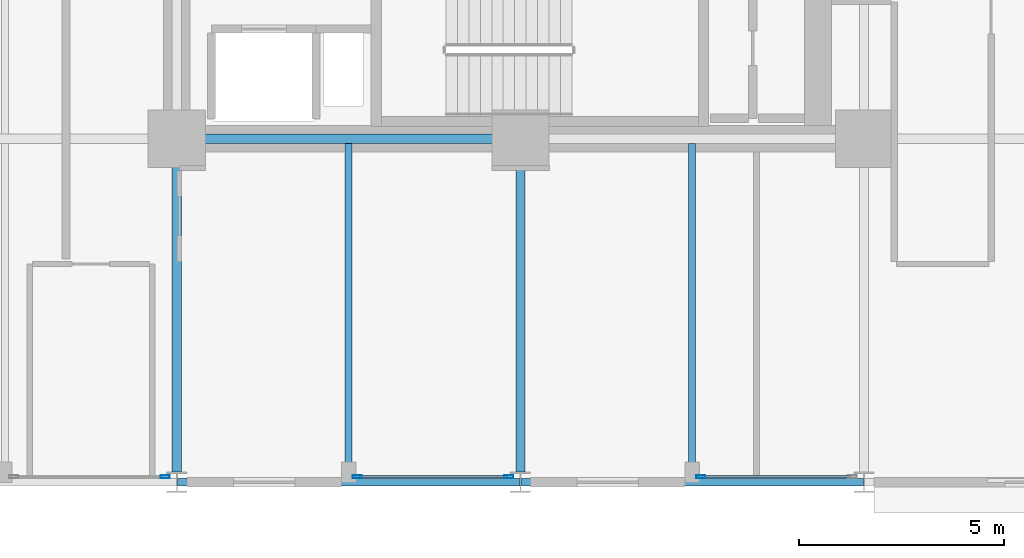
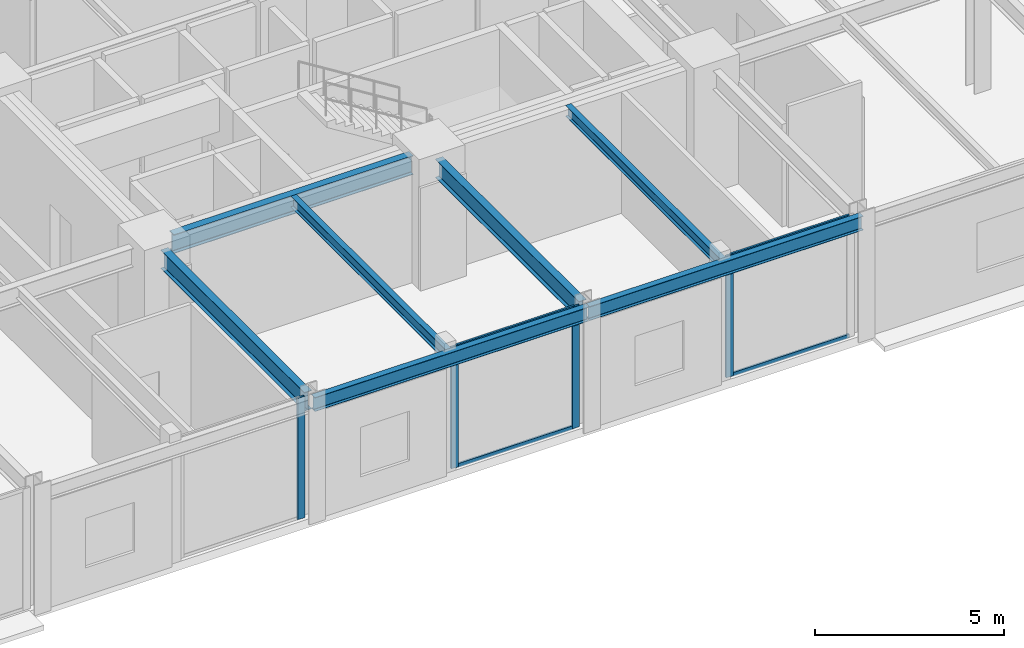
# One storey, part 4 of 25: 8 members, 7 beams, 3 elements without a shape of their own.
"""IFC4 building model written with IfcOpenShell, lengths in metres."""

from ifc_helpers import new_model, si_unit, direction, frame, origin, origin_2d, place, context, subcontext, project, spatial, hollow_rectangle, i_section, extrude, material, layer, layer_set, material_profile, profile_set, type_object, element, aggregate, save


model = new_model("IFC4")

# Units and contexts
model_context = context("Model", 3, precision=1e-05, world=origin(), true_north=direction((0.0, 1.0)))
body_context = subcontext(model_context, "Body", "Model", "MODEL_VIEW")
ifc_project = project(units=[si_unit("LENGTHUNIT", "METRE"), si_unit("AREAUNIT", "SQUARE_METRE"), si_unit("VOLUMEUNIT", "CUBIC_METRE"), si_unit("PLANEANGLEUNIT", "RADIAN"), si_unit("MASSUNIT", "GRAM", prefix="KILO")], contexts=[model_context])

# Site, building, storey
site_placement = place(None, origin())
site = spatial("IfcSite", under=ifc_project, at=site_placement, CompositionType="ELEMENT")
building_placement = place(site_placement, origin())
building = spatial("IfcBuilding", under=site, at=building_placement, Name="Nerrivon Quay Data Exchange", CompositionType="ELEMENT")
storey_placement = place(building_placement, frame((0.0, 0.0, 54.199951171875)))
storey = spatial("IfcBuildingStorey", under=building, at=storey_placement, Name="L12", CompositionType="ELEMENT", Elevation=54.199951171875)

# Beams
ifc_material_1 = material(Name="Steel Grade 350", Category="steel")
ifc_material_profile_1 = material_profile(ifc_material_1, i_section(OverallWidth=0.22900390625, OverallDepth=0.612060546875, WebThickness=0.011962890625, FlangeThickness=0.01953125, FilletRadius=0.013916015625, at=origin_2d()), Name="610UB125")
ifc_profile_set_1 = profile_set([ifc_material_profile_1], Name="Steel Grade 350")
beam_type_1 = type_object("IfcBeamType", Name="BM-G1-610UB125", PredefinedType="BEAM", material=ifc_profile_set_1)
beam_1_placement = place(storey_placement, frame((17.340087890625, 8.39990234375, 3.619140625), z_axis=(1.0, 0.0, 0.0), x_axis=(0.0, 1.0, 0.0)))
element("IfcBeam", 1, at=beam_1_placement, inside=storey, type_object=beam_type_1, Name="L12 EW Girder Y=8.4 (16.8..25.2)", PredefinedType="BEAM", context=body_context, shape_type="SweptSolid", body=[
    extrude(i_section(OverallWidth=0.22900390625, OverallDepth=0.612060546875, WebThickness=0.011962890625, FlangeThickness=0.01953125, FilletRadius=0.013916015625, at=origin_2d()), origin(), (0.0, 0.0, 1.0), 7.31982421875),
])
ifc_material_profile_2 = material_profile(ifc_material_1, i_section(OverallWidth=0.22802734375, OverallDepth=0.60205078125, WebThickness=0.010498046875, FlangeThickness=0.014892578125, FilletRadius=0.013916015625, at=origin_2d()), Name="610UB101")
ifc_profile_set_2 = profile_set([ifc_material_profile_2], Name="Steel Grade 350")
beam_type_2 = type_object("IfcBeamType", Name="BM-G2-610UB101", PredefinedType="BEAM", material=ifc_profile_set_2)
for number, where, z_axis, x_axis, name in (
    (2, (16.800048828125, 0.25, 3.6240234375), (0.0, 1.0, 0.0), (-1.0, 0.0, 0.0), "L12 NS Girder X=16.8 (0.0..8.4)"),
    (3, (25.199951171875, 0.25, 3.6240234375), (0.0, 1.0, 0.0), (-1.0, 0.0, 0.0), "L12 NS Girder X=25.2 (0.0..8.4)"),
):
    element("IfcBeam", number, at=place(storey_placement, frame(where, z_axis=z_axis, x_axis=x_axis)), inside=storey, type_object=beam_type_2, Name=name, PredefinedType="BEAM", context=body_context, shape_type="SweptSolid", body=[
        extrude(i_section(OverallWidth=0.22802734375, OverallDepth=0.60205078125, WebThickness=0.010498046875, FlangeThickness=0.014892578125, FilletRadius=0.013916015625, at=origin_2d()), origin(), (0.0, 0.0, 1.0), 7.610107421875),
    ])
ifc_material_profile_3 = material_profile(ifc_material_1, i_section(OverallWidth=0.172119140625, OverallDepth=0.35888671875, WebThickness=0.008056640625, FlangeThickness=0.012939453125, FilletRadius=0.011474609375, at=origin_2d()), Name="360UB56.7")
ifc_profile_set_3 = profile_set([ifc_material_profile_3], Name="Steel Grade 350")
beam_type_3 = type_object("IfcBeamType", Name="BM-J3-360UB57", PredefinedType="JOIST", material=ifc_profile_set_3)
for number, where, z_axis, x_axis, name in (
    (4, (21.0, 0.094970703125, 3.74560546875), (0.0, 1.0, 0.0), (-1.0, 0.0, 0.0), "L12 Secondary Joist X=21.0 (0.0..8.4)"),
    (5, (29.39990234375, 0.094970703125, 3.74560546875), (0.0, 1.0, 0.0), (-1.0, 0.0, 0.0), "L12 Secondary Joist X=29.4 (0.0..8.4)"),
):
    element("IfcBeam", number, at=place(storey_placement, frame(where, z_axis=z_axis, x_axis=x_axis)), inside=storey, type_object=beam_type_3, Name=name, PredefinedType="JOIST", context=body_context, shape_type="SweptSolid", body=[
        extrude(i_section(OverallWidth=0.172119140625, OverallDepth=0.35888671875, WebThickness=0.008056640625, FlangeThickness=0.012939453125, FilletRadius=0.011474609375, at=origin_2d()), origin(), (0.0, 0.0, 1.0), 8.1904296875),
    ])
ifc_material_profile_4 = material_profile(ifc_material_1, i_section(OverallWidth=0.18994140625, OverallDepth=0.4541015625, WebThickness=0.008544921875, FlangeThickness=0.0126953125, FilletRadius=0.011474609375, at=origin_2d()), Name="460UB67.1")
ifc_profile_set_4 = profile_set([ifc_material_profile_4], Name="Steel Grade 350")
beam_type_4 = type_object("IfcBeamType", Name="BM-SP1-460UB67", PredefinedType="SPANDREL", material=ifc_profile_set_4)
beam_2_placement = place(storey_placement, frame((16.81396484375, 0.0, 3.697998046875), z_axis=(1.0, 0.0, 0.0), x_axis=(0.0, 1.0, 0.0)))
element("IfcBeam", 6, at=beam_2_placement, inside=storey, type_object=beam_type_4, Name="L12 EW Girder Y=0.0 (16.8..25.2)", PredefinedType="SPANDREL", context=body_context, shape_type="SweptSolid", body=[
    extrude(i_section(OverallWidth=0.18994140625, OverallDepth=0.4541015625, WebThickness=0.008544921875, FlangeThickness=0.0126953125, FilletRadius=0.011474609375, at=origin_2d()), origin(), (0.0, 0.0, 1.0), 8.3720703125),
])
beam_3_placement = place(storey_placement, frame((25.214111328125, 0.0, 3.697998046875), z_axis=(1.0, 0.0, 0.0), x_axis=(0.0, 1.0, 0.0)))
element("IfcBeam", 7, at=beam_3_placement, inside=storey, type_object=beam_type_4, Name="L12 EW Girder Y=0.0 (25.2..33.6)", PredefinedType="SPANDREL", context=body_context, shape_type="SweptSolid", body=[
    extrude(i_section(OverallWidth=0.18994140625, OverallDepth=0.4541015625, WebThickness=0.008544921875, FlangeThickness=0.0126953125, FilletRadius=0.011474609375, at=origin_2d()), origin(), (0.0, 0.0, 1.0), 8.371826171875),
])

# Curtain wall, member
ifc_material_2 = material(Name="Anodised aluminium 6063-T6", Category="aluminium")
ifc_layer = layer(ifc_material_2, 0.219970703125)
ifc_layer_set = layer_set([ifc_layer], Name="Anodised aluminium 6063-T6")
curtain_wall_type = type_object("IfcCurtainWallType", Name="CW-SYS-01", PredefinedType="NOTDEFINED", material=ifc_layer_set)
curtain_wall_1_placement = place(storey_placement, origin())
curtain_wall_1 = element("IfcCurtainWall", 8, at=curtain_wall_1_placement, inside=storey, type_object=curtain_wall_type, Name="L12 Unitised Curtain Wall 4", PredefinedType="NOTDEFINED")
ifc_material_profile_5 = material_profile(ifc_material_2, hollow_rectangle(XDim=0.074951171875, YDim=0.219970703125, WallThickness=0.00390625, at=origin_2d()), Name="ALU-MULL-220x75")
ifc_profile_set_5 = profile_set([ifc_material_profile_5], Name="Anodised aluminium 6063-T6")
member_type_1 = type_object("IfcMemberType", Name="CWM-220x75", PredefinedType="MULLION", material=ifc_profile_set_5)
member_1_placement = place(storey_placement, frame((29.612548828125, 0.139892578125, 0.0), z_axis=(0.0, 0.0, 1.0), x_axis=(0.0, -1.0, 0.0)))
member_1 = element("IfcMember", 9, at=member_1_placement, type_object=member_type_1, Name="CW01 mullion 2", PredefinedType="MULLION", context=body_context, shape_type="SweptSolid", body=[
    extrude(hollow_rectangle(XDim=0.074951171875, YDim=0.219970703125, WallThickness=0.00390625, at=origin_2d()), origin(), (0.0, 0.0, 1.0), 3.925048828125),
])

# Curtain wall, members
curtain_wall_2_placement = place(storey_placement, origin())
curtain_wall_2 = element("IfcCurtainWall", 10, at=curtain_wall_2_placement, inside=storey, type_object=curtain_wall_type, Name="L12 Unitised Curtain Wall 6", PredefinedType="NOTDEFINED")
member_2_placement = place(storey_placement, frame((24.91259765625, 0.139892578125, 0.0), z_axis=(0.0, 0.0, 1.0), x_axis=(0.0, -1.0, 0.0)))
member_2 = element("IfcMember", 11, at=member_2_placement, type_object=member_type_1, Name="CW01 mullion 1", PredefinedType="MULLION", context=body_context, shape_type="SweptSolid", body=[
    extrude(hollow_rectangle(XDim=0.074951171875, YDim=0.219970703125, WallThickness=0.00390625, at=origin_2d()), origin(), (0.0, 0.0, 1.0), 3.925048828125),
])
member_3_placement = place(storey_placement, frame((21.21240234375, 0.139892578125, 0.0), z_axis=(0.0, 0.0, 1.0), x_axis=(0.0, -1.0, 0.0)))
member_3 = element("IfcMember", 12, at=member_3_placement, type_object=member_type_1, Name="CW01 mullion 2", PredefinedType="MULLION", context=body_context, shape_type="SweptSolid", body=[
    extrude(hollow_rectangle(XDim=0.074951171875, YDim=0.219970703125, WallThickness=0.00390625, at=origin_2d()), origin(), (0.0, 0.0, 1.0), 3.925048828125),
])

# Curtain wall, member
curtain_wall_3_placement = place(storey_placement, origin())
curtain_wall_3 = element("IfcCurtainWall", 13, at=curtain_wall_3_placement, inside=storey, type_object=curtain_wall_type, Name="L12 Unitised Curtain Wall 8", PredefinedType="NOTDEFINED")
member_4_placement = place(storey_placement, frame((16.512451171875, 0.139892578125, 0.0), z_axis=(0.0, 0.0, 1.0), x_axis=(0.0, -1.0, 0.0)))
member_4 = element("IfcMember", 14, at=member_4_placement, type_object=member_type_1, Name="CW01 mullion 1", PredefinedType="MULLION", context=body_context, shape_type="SweptSolid", body=[
    extrude(hollow_rectangle(XDim=0.074951171875, YDim=0.219970703125, WallThickness=0.00390625, at=origin_2d()), origin(), (0.0, 0.0, 1.0), 3.925048828125),
])
aggregate(curtain_wall_3, [member_4])

# Member
ifc_material_profile_6 = material_profile(ifc_material_2, hollow_rectangle(XDim=0.06005859375, YDim=0.1201171875, WallThickness=0.003173828125, at=origin_2d()), Name="ALU-TRAN-120x60")
ifc_profile_set_6 = profile_set([ifc_material_profile_6], Name="Anodised aluminium 6063-T6")
member_type_2 = type_object("IfcMemberType", Name="CWT-120x60", PredefinedType="USERDEFINED", material=ifc_profile_set_6)
member_5_placement = place(storey_placement, frame((33.27490234375, 0.139892578125, 0.032470703125), z_axis=(-1.0, 0.0, 0.0), x_axis=(0.0, -1.0, 0.0)))
member_5 = element("IfcMember", 15, at=member_5_placement, type_object=member_type_2, Name="CW01 transom 1.1", ObjectType="TRANSOM", PredefinedType="USERDEFINED", context=body_context, shape_type="SweptSolid", body=[
    extrude(hollow_rectangle(XDim=0.06005859375, YDim=0.1201171875, WallThickness=0.003173828125, at=origin_2d()), origin(), (0.0, 0.0, 1.0), 3.625),
])

member_6_placement = place(storey_placement, frame((33.27490234375, 0.139892578125, 3.892578125), z_axis=(-1.0, 0.0, 0.0), x_axis=(0.0, -1.0, 0.0)))
member_6 = element("IfcMember", 16, at=member_6_placement, type_object=member_type_2, Name="CW01 transom 1.2", ObjectType="TRANSOM", PredefinedType="USERDEFINED", context=body_context, shape_type="SweptSolid", body=[
    extrude(hollow_rectangle(XDim=0.06005859375, YDim=0.1201171875, WallThickness=0.003173828125, at=origin_2d()), origin(), (0.0, 0.0, 1.0), 3.625),
])

aggregate(curtain_wall_1, [member_1, member_5, member_6])

member_7_placement = place(storey_placement, frame((24.875, 0.139892578125, 0.032470703125), z_axis=(-1.0, 0.0, 0.0), x_axis=(0.0, -1.0, 0.0)))
member_7 = element("IfcMember", 17, at=member_7_placement, type_object=member_type_2, Name="CW01 transom 1.1", ObjectType="TRANSOM", PredefinedType="USERDEFINED", context=body_context, shape_type="SweptSolid", body=[
    extrude(hollow_rectangle(XDim=0.06005859375, YDim=0.1201171875, WallThickness=0.003173828125, at=origin_2d()), origin(), (0.0, 0.0, 1.0), 3.625),
])

member_8_placement = place(storey_placement, frame((24.875, 0.139892578125, 3.892578125), z_axis=(-1.0, 0.0, 0.0), x_axis=(0.0, -1.0, 0.0)))
member_8 = element("IfcMember", 18, at=member_8_placement, type_object=member_type_2, Name="CW01 transom 1.2", ObjectType="TRANSOM", PredefinedType="USERDEFINED", context=body_context, shape_type="SweptSolid", body=[
    extrude(hollow_rectangle(XDim=0.06005859375, YDim=0.1201171875, WallThickness=0.003173828125, at=origin_2d()), origin(), (0.0, 0.0, 1.0), 3.625),
])

aggregate(curtain_wall_2, [member_2, member_3, member_7, member_8])

save(model, "model.ifc")
